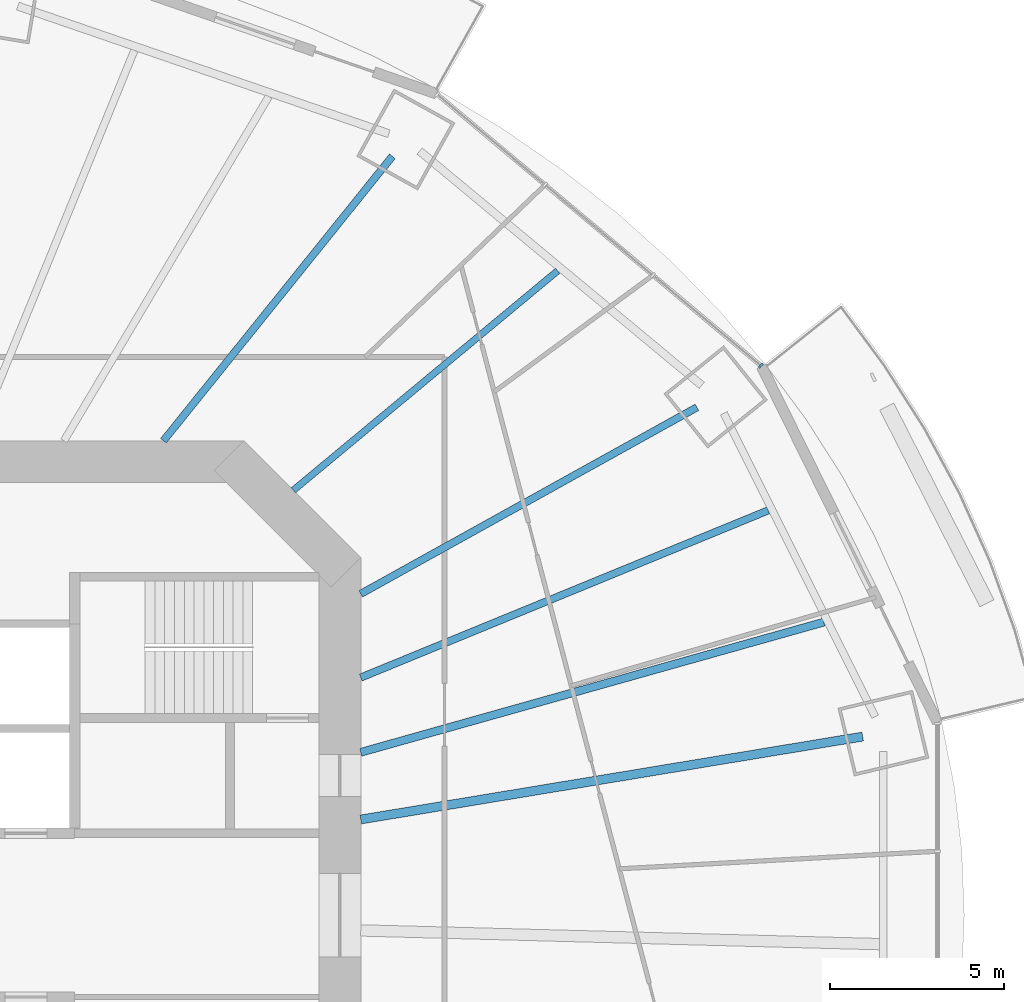
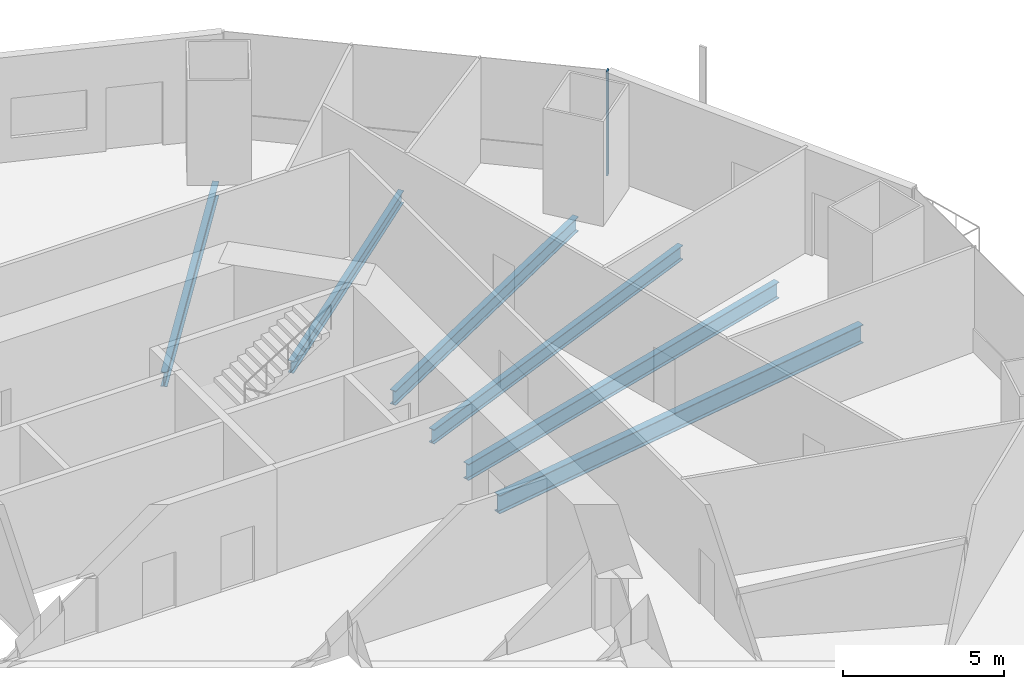
# One storey, part 8 of 21: 6 beams, 1 member, 1 element without a shape of its own.
"""IFC4 building model written with IfcOpenShell, lengths in metres."""

from ifc_helpers import new_model, si_unit, direction, frame, origin, origin_2d, place, context, subcontext, project, spatial, rectangle, i_section, extrude, material, material_profile, profile_set, type_object, element, aggregate, save


model = new_model("IFC4")

# Units and contexts
model_context = context("Model", 3, precision=1e-05, world=origin(), true_north=direction((0.0, 1.0)))
body_context = subcontext(model_context, "Body", "Model", "MODEL_VIEW")
ifc_project = project(units=[si_unit("LENGTHUNIT", "METRE"), si_unit("AREAUNIT", "SQUARE_METRE"), si_unit("VOLUMEUNIT", "CUBIC_METRE"), si_unit("PLANEANGLEUNIT", "RADIAN"), si_unit("MASSUNIT", "GRAM", prefix="KILO")], contexts=[model_context])

# Site, building, storey
site_placement = place(None, origin())
site = spatial("IfcSite", under=ifc_project, at=site_placement, CompositionType="ELEMENT")
building_placement = place(site_placement, origin())
building = spatial("IfcBuilding", under=site, at=building_placement, Name="Marenthal Gate Tower", CompositionType="ELEMENT")
storey_placement = place(building_placement, frame((0.0, 0.0, 120.14990234375)))
storey = spatial("IfcBuildingStorey", under=building, at=storey_placement, Name="L25", CompositionType="ELEMENT", Elevation=120.14990234375)

# Curtain wall, member
ifc_material_1 = material(Name="Aluminium and glass", Category="aluminium")
curtain_wall_type = type_object("IfcCurtainWallType", Name="Curtain wall typical low", PredefinedType="NOTDEFINED", material=ifc_material_1)
curtain_wall_placement = place(storey_placement, origin())
curtain_wall = element("IfcCurtainWall", 1, at=curtain_wall_placement, inside=storey, type_object=curtain_wall_type, Name="Curtain wall L25 bay 2", PredefinedType="NOTDEFINED")
ifc_material_2 = material(Name="Aluminium", Category="aluminium")
ifc_material_profile_1 = material_profile(ifc_material_2, rectangle(XDim=0.159912109375, YDim=0.06005859375, at=origin_2d()), Name="60x160 aluminium mullion")
ifc_profile_set_1 = profile_set([ifc_material_profile_1], Name="Aluminium")
member_type = type_object("IfcMemberType", Name="Mullion 60x160 typical low", PredefinedType="MULLION", material=ifc_profile_set_1)
member_placement = place(storey_placement, frame((28.0673828125, 15.754150390625, 0.0), z_axis=(0.0, 0.0, 1.0), x_axis=(-0.642437868504, -0.766337774817, 0.0)))
member = element("IfcMember", 2, at=member_placement, type_object=member_type, Name="Mullion L25 bay 2.1", PredefinedType="MULLION", context=body_context, shape_type="SweptSolid", body=[
    extrude(rectangle(XDim=0.159912109375, YDim=0.06005859375, at=origin_2d()), origin(), (0.0, 0.0, 1.0), 3.97021484375),
])
aggregate(curtain_wall, [member])

# Beams
ifc_material_3 = material(Name="Steel S355", Category="steel")
ifc_material_profile_2 = material_profile(ifc_material_3, i_section(OverallWidth=0.193115234375, OverallDepth=0.467041015625, WebThickness=0.011474609375, FlangeThickness=0.01904296875, FilletRadius=0.010009765625, at=origin_2d()), Name="W460X97")
ifc_profile_set_2 = profile_set([ifc_material_profile_2], Name="Steel S355")
beam_type_1 = type_object("IfcBeamType", Name="W460X97 beam", PredefinedType="BEAM", material=ifc_profile_set_2)
beam_1_placement = place(storey_placement, frame((22.244384765625, 18.4716796875, -0.413330078125), z_axis=(-0.7693296468, -0.638852013031, 0.0), x_axis=(0.638852013031, -0.7693296468, 0.0)))
element("IfcBeam", 3, at=beam_1_placement, inside=storey, type_object=beam_type_1, Name="BM-L25-19", PredefinedType="BEAM", context=body_context, shape_type="SweptSolid", body=[
    extrude(i_section(OverallWidth=0.193115234375, OverallDepth=0.467041015625, WebThickness=0.011474609375, FlangeThickness=0.01904296875, FilletRadius=0.010009765625, at=origin_2d()), origin(), (0.0, 0.0, 1.0), 9.84765625),
])
ifc_material_4 = material(Name="Steel S355", Category="steel")
ifc_material_profile_3 = material_profile(ifc_material_4, i_section(OverallWidth=0.2119140625, OverallDepth=0.5439453125, WebThickness=0.01318359375, FlangeThickness=0.021240234375, FilletRadius=0.0126953125, at=origin_2d()), Name="W530X123")
ifc_profile_set_3 = profile_set([ifc_material_profile_3], Name="Steel S355")
beam_type_2 = type_object("IfcBeamType", Name="W530X123 beam", PredefinedType="BEAM", material=ifc_profile_set_3)
beam_2_placement = place(storey_placement, frame((26.23779296875, 14.55810546875, -0.451904296875), z_axis=(-0.874421492378, -0.485167036872, 0.0), x_axis=(0.485167036872, -0.874421492378, 0.0)))
element("IfcBeam", 4, at=beam_2_placement, inside=storey, type_object=beam_type_2, Name="BM-L25-02", PredefinedType="BEAM", context=body_context, shape_type="SweptSolid", body=[
    extrude(i_section(OverallWidth=0.2119140625, OverallDepth=0.5439453125, WebThickness=0.01318359375, FlangeThickness=0.021240234375, FilletRadius=0.0126953125, at=origin_2d()), origin(), (0.0, 0.0, 1.0), 11.021728515625),
])
beam_3_placement = place(storey_placement, frame((17.505126953125, 21.755126953125, -0.451904296875), z_axis=(-0.626891327439, -0.779106708726, 0.0), x_axis=(0.779106708726, -0.626891327439, 0.0)))
element("IfcBeam", 5, at=beam_3_placement, inside=storey, type_object=beam_type_2, Name="BM-L25-03", PredefinedType="BEAM", context=body_context, shape_type="SweptSolid", body=[
    extrude(i_section(OverallWidth=0.2119140625, OverallDepth=0.5439453125, WebThickness=0.01318359375, FlangeThickness=0.021240234375, FilletRadius=0.0126953125, at=origin_2d()), origin(), (0.0, 0.0, 1.0), 10.467041015625),
])
beam_4_placement = place(storey_placement, frame((28.281005859375, 11.603515625, -0.451904296875), z_axis=(-0.925153122317, -0.379594125702, 0.0), x_axis=(0.379594125702, -0.925153122317, 0.0)))
element("IfcBeam", 6, at=beam_4_placement, inside=storey, type_object=beam_type_2, Name="BM-L25-18", PredefinedType="BEAM", context=body_context, shape_type="SweptSolid", body=[
    extrude(i_section(OverallWidth=0.2119140625, OverallDepth=0.5439453125, WebThickness=0.01318359375, FlangeThickness=0.021240234375, FilletRadius=0.0126953125, at=origin_2d()), origin(), (0.0, 0.0, 1.0), 12.6259765625),
])
ifc_material_5 = material(Name="Steel S355", Category="steel")
ifc_material_profile_4 = material_profile(ifc_material_5, i_section(OverallWidth=0.22900390625, OverallDepth=0.612060546875, WebThickness=0.011962890625, FlangeThickness=0.01953125, FilletRadius=0.0126953125, at=origin_2d()), Name="W610X125")
ifc_profile_set_4 = profile_set([ifc_material_profile_4], Name="Steel S355")
beam_type_3 = type_object("IfcBeamType", Name="W610X125 beam", PredefinedType="BEAM", material=ifc_profile_set_4)
beam_5_placement = place(storey_placement, frame((29.87841796875, 8.401123046875, -0.48583984375), z_axis=(-0.962667661215, -0.270686117213, 0.0), x_axis=(0.270686117213, -0.962667661215, 0.0)))
element("IfcBeam", 7, at=beam_5_placement, inside=storey, type_object=beam_type_3, Name="BM-L25-17", PredefinedType="BEAM", context=body_context, shape_type="SweptSolid", body=[
    extrude(i_section(OverallWidth=0.22900390625, OverallDepth=0.612060546875, WebThickness=0.011962890625, FlangeThickness=0.01953125, FilletRadius=0.0126953125, at=origin_2d()), origin(), (0.0, 0.0, 1.0), 13.793212890625),
])
ifc_material_6 = material(Name="Steel S355", Category="steel")
ifc_material_profile_5 = material_profile(ifc_material_6, i_section(OverallWidth=0.257080078125, OverallDepth=0.693115234375, WebThickness=0.014404296875, FlangeThickness=0.023681640625, FilletRadius=0.015380859375, at=origin_2d()), Name="W690X170")
ifc_profile_set_5 = profile_set([ifc_material_profile_5], Name="Steel S355")
beam_type_4 = type_object("IfcBeamType", Name="W690X170 beam", PredefinedType="BEAM", material=ifc_profile_set_5)
beam_6_placement = place(storey_placement, frame((30.990478515625, 5.118896484375, -0.5263671875), z_axis=(-0.986631300462, -0.162968331122, 0.0), x_axis=(0.162968331122, -0.986631300462, 0.0)))
element("IfcBeam", 8, at=beam_6_placement, inside=storey, type_object=beam_type_4, Name="BM-L25-01", PredefinedType="BEAM", context=body_context, shape_type="SweptSolid", body=[
    extrude(i_section(OverallWidth=0.257080078125, OverallDepth=0.693115234375, WebThickness=0.014404296875, FlangeThickness=0.023681640625, FilletRadius=0.015380859375, at=origin_2d()), origin(), (0.0, 0.0, 1.0), 14.58544921875),
])

save(model, "model.ifc")
